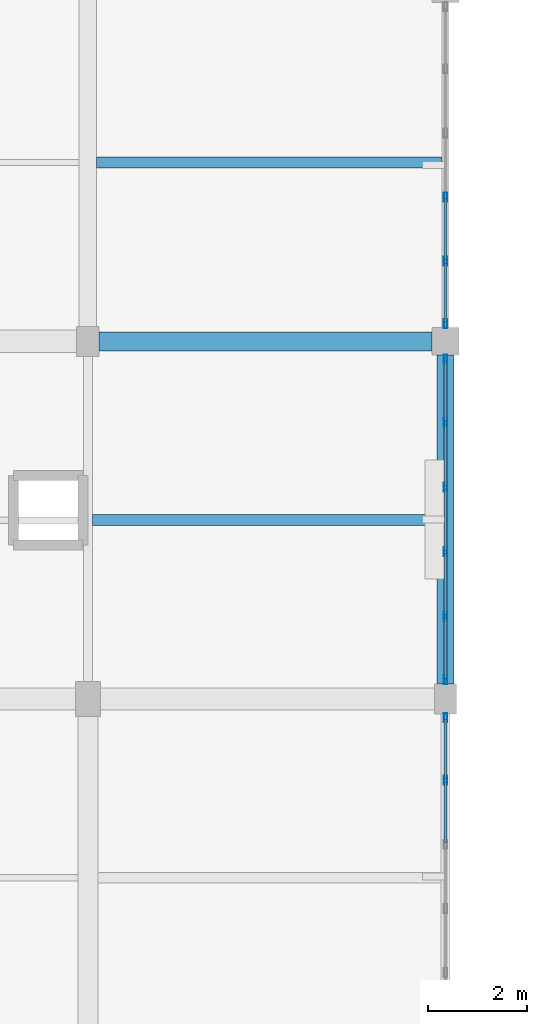
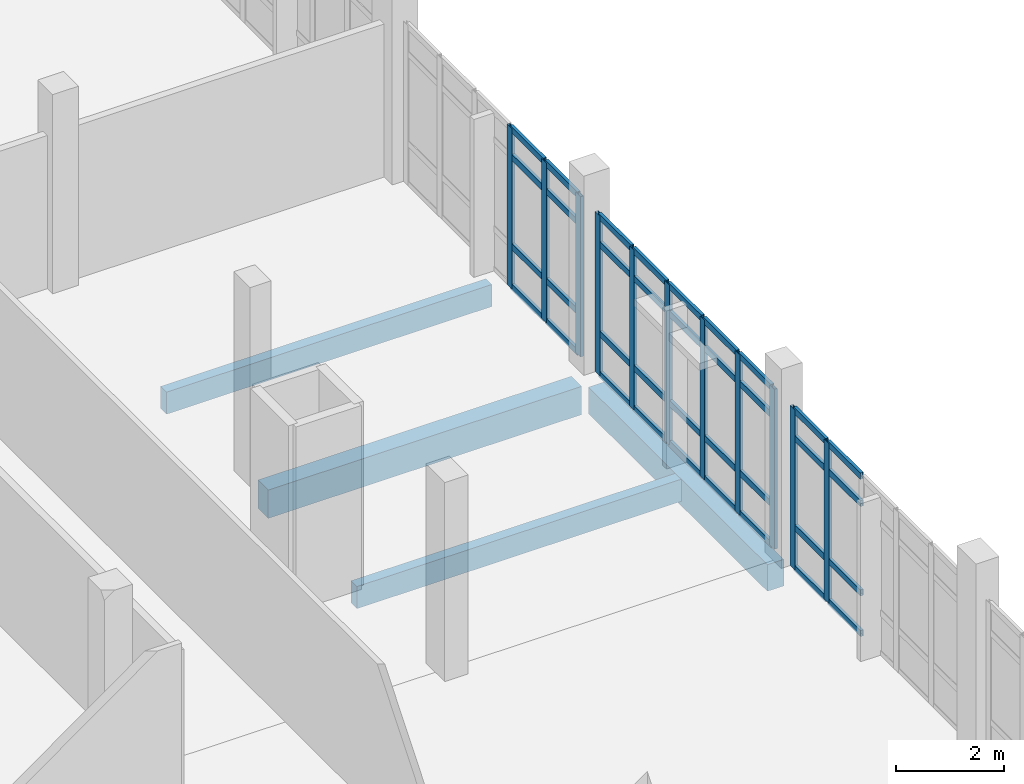
# One storey, part 16 of 57: 47 members, 4 beams, 3 elements without a shape of their own.
"""IFC4 building model written with IfcOpenShell, lengths in metres."""

from ifc_helpers import new_model, si_unit, direction, frame, origin, origin_2d, place, context, subcontext, project, spatial, rectangle, hollow_rectangle, extrude, material, material_profile, profile_set, type_object, element, aggregate, save


model = new_model("IFC4")

# Units and contexts
model_context = context("Model", 3, precision=1e-05, world=origin(), true_north=direction((0.0, 1.0)))
body_context = subcontext(model_context, "Body", "Model", "MODEL_VIEW")
ifc_project = project(units=[si_unit("LENGTHUNIT", "METRE"), si_unit("AREAUNIT", "SQUARE_METRE"), si_unit("VOLUMEUNIT", "CUBIC_METRE"), si_unit("PLANEANGLEUNIT", "RADIAN"), si_unit("MASSUNIT", "GRAM", prefix="KILO")], contexts=[model_context])

# Site, building, storey
site_placement = place(None, origin())
site = spatial("IfcSite", under=ifc_project, at=site_placement, CompositionType="ELEMENT")
building_placement = place(site_placement, origin())
building = spatial("IfcBuilding", under=site, at=building_placement, Name="Kalluvel Institute of Natural Sciences", CompositionType="ELEMENT")
storey_placement = place(building_placement, frame((0.0, 0.0, 23.39990234375)))
storey = spatial("IfcBuildingStorey", under=building, at=storey_placement, Name="L05", CompositionType="ELEMENT", Elevation=23.39990234375)

# Beams
ifc_material_1 = material(Name="Concrete M40", Category="concrete")
ifc_material_profile_1 = material_profile(ifc_material_1, rectangle(XDim=0.35009765625, YDim=0.60009765625, at=origin_2d()), Name="RCB 350x600")
ifc_profile_set_1 = profile_set([ifc_material_profile_1], Name="Concrete M40")
beam_type_1 = type_object("IfcBeamType", Name="BM-RC350x600", PredefinedType="BEAM", material=ifc_profile_set_1)
beam_1_placement = place(storey_placement, frame((35.60009765625, 64.699951171875, -0.599853515625), z_axis=(0.0, 1.0, 0.0), x_axis=(-1.0, 0.0, 0.0)))
element("IfcBeam", 1, at=beam_1_placement, inside=storey, type_object=beam_type_1, Name="L05 girder GIR-L05-NS-X356-Y644", PredefinedType="BEAM", context=body_context, shape_type="SweptSolid", body=[
    extrude(rectangle(XDim=0.35009765625, YDim=0.60009765625, at=origin_2d()), origin(), (0.0, 0.0, 1.0), 6.625),
])
ifc_material_profile_2 = material_profile(ifc_material_1, rectangle(XDim=0.3798828125, YDim=0.639892578125, at=origin_2d()), Name="RCB 380x640")
ifc_profile_set_2 = profile_set([ifc_material_profile_2], Name="Concrete M40")
beam_type_2 = type_object("IfcBeamType", Name="BM-RC380x640", PredefinedType="BEAM", material=ifc_profile_set_2)
beam_2_placement = place(storey_placement, frame((28.625, 71.60009765625, -0.619873046875), z_axis=(1.0, 0.0, 0.0), x_axis=(0.0, 1.0, 0.0)))
element("IfcBeam", 2, at=beam_2_placement, inside=storey, type_object=beam_type_2, Name="L05 girder GIR-L05-EW-X284-Y716", PredefinedType="BEAM", context=body_context, shape_type="SweptSolid", body=[
    extrude(rectangle(XDim=0.3798828125, YDim=0.639892578125, at=origin_2d()), origin(), (0.0, 0.0, 1.0), 6.699951171875),
])

# Curtain wall, members
ifc_material_2 = material(Name="Aluminium AW-6063 T6", Category="aluminium")
curtain_wall_type = type_object("IfcCurtainWallType", Name="CW-DRY-45", PredefinedType="USERDEFINED", material=ifc_material_2)
curtain_wall_1_placement = place(storey_placement, origin())
curtain_wall_1 = element("IfcCurtainWall", 3, at=curtain_wall_1_placement, inside=storey, type_object=curtain_wall_type, Name="L05 Gothic lancet curtain wall CWA-L05-X356-Y576", ObjectType="UNITISED LANCET FACADE", PredefinedType="USERDEFINED")
ifc_material_profile_3 = material_profile(ifc_material_2, hollow_rectangle(XDim=0.06494140625, YDim=0.179931640625, WallThickness=0.00439453125, at=origin_2d()), Name="CWM 65x180")
ifc_profile_set_3 = profile_set([ifc_material_profile_3], Name="Aluminium AW-6063 T6")
member_type_1 = type_object("IfcMemberType", Name="CWM-65x180", PredefinedType="MULLION", material=ifc_profile_set_3)
member_1_placement = place(storey_placement, frame((35.60009765625, 62.760009765625, 0.0), z_axis=(0.0, 0.0, 1.0), x_axis=(-1.0, 0.0, 0.0)))
member_1 = element("IfcMember", 4, at=member_1_placement, type_object=member_type_1, Name="CW-03 mullion 5", PredefinedType="MULLION", context=body_context, shape_type="SweptSolid", body=[
    extrude(hollow_rectangle(XDim=0.06494140625, YDim=0.179931640625, WallThickness=0.00439453125, at=origin_2d()), origin(), (0.0, 0.0, 1.0), 3.6201171875),
])
member_2_placement = place(storey_placement, frame((35.60009765625, 64.017578125, 0.0), z_axis=(0.0, 0.0, 1.0), x_axis=(-1.0, 0.0, 0.0)))
member_2 = element("IfcMember", 5, at=member_2_placement, type_object=member_type_1, Name="CW-03 mullion 6", PredefinedType="MULLION", context=body_context, shape_type="SweptSolid", body=[
    extrude(hollow_rectangle(XDim=0.06494140625, YDim=0.179931640625, WallThickness=0.00439453125, at=origin_2d()), origin(), (0.0, 0.0, 1.0), 3.6201171875),
])

curtain_wall_2_placement = place(storey_placement, origin())
curtain_wall_2 = element("IfcCurtainWall", 6, at=curtain_wall_2_placement, inside=storey, type_object=curtain_wall_type, Name="L05 Gothic lancet curtain wall CWA-L05-X356-Y648", ObjectType="UNITISED LANCET FACADE", PredefinedType="USERDEFINED")
member_3_placement = place(storey_placement, frame((35.60009765625, 64.782470703125, 0.0), z_axis=(0.0, 0.0, 1.0), x_axis=(-1.0, 0.0, 0.0)))
member_3 = element("IfcMember", 7, at=member_3_placement, type_object=member_type_1, Name="CW-03 mullion 1", PredefinedType="MULLION", context=body_context, shape_type="SweptSolid", body=[
    extrude(hollow_rectangle(XDim=0.06494140625, YDim=0.179931640625, WallThickness=0.00439453125, at=origin_2d()), origin(), (0.0, 0.0, 1.0), 3.6201171875),
])
member_4_placement = place(storey_placement, frame((35.60009765625, 66.054931640625, 0.0), z_axis=(0.0, 0.0, 1.0), x_axis=(-1.0, 0.0, 0.0)))
member_4 = element("IfcMember", 8, at=member_4_placement, type_object=member_type_1, Name="CW-03 mullion 2", PredefinedType="MULLION", context=body_context, shape_type="SweptSolid", body=[
    extrude(hollow_rectangle(XDim=0.06494140625, YDim=0.179931640625, WallThickness=0.00439453125, at=origin_2d()), origin(), (0.0, 0.0, 1.0), 3.6201171875),
])
member_5_placement = place(storey_placement, frame((35.60009765625, 67.360107421875, 0.0), z_axis=(0.0, 0.0, 1.0), x_axis=(-1.0, 0.0, 0.0)))
member_5 = element("IfcMember", 9, at=member_5_placement, type_object=member_type_1, Name="CW-03 mullion 3", PredefinedType="MULLION", context=body_context, shape_type="SweptSolid", body=[
    extrude(hollow_rectangle(XDim=0.06494140625, YDim=0.179931640625, WallThickness=0.00439453125, at=origin_2d()), origin(), (0.0, 0.0, 1.0), 3.6201171875),
])
member_6_placement = place(storey_placement, frame((35.60009765625, 68.6650390625, 0.0), z_axis=(0.0, 0.0, 1.0), x_axis=(-1.0, 0.0, 0.0)))
member_6 = element("IfcMember", 10, at=member_6_placement, type_object=member_type_1, Name="CW-03 mullion 4", PredefinedType="MULLION", context=body_context, shape_type="SweptSolid", body=[
    extrude(hollow_rectangle(XDim=0.06494140625, YDim=0.179931640625, WallThickness=0.00439453125, at=origin_2d()), origin(), (0.0, 0.0, 1.0), 3.6201171875),
])
member_7_placement = place(storey_placement, frame((35.60009765625, 69.969970703125, 0.0), z_axis=(0.0, 0.0, 1.0), x_axis=(-1.0, 0.0, 0.0)))
member_7 = element("IfcMember", 11, at=member_7_placement, type_object=member_type_1, Name="CW-03 mullion 5", PredefinedType="MULLION", context=body_context, shape_type="SweptSolid", body=[
    extrude(hollow_rectangle(XDim=0.06494140625, YDim=0.179931640625, WallThickness=0.00439453125, at=origin_2d()), origin(), (0.0, 0.0, 1.0), 3.6201171875),
])
member_8_placement = place(storey_placement, frame((35.60009765625, 71.242431640625, 0.0), z_axis=(0.0, 0.0, 1.0), x_axis=(-1.0, 0.0, 0.0)))
member_8 = element("IfcMember", 12, at=member_8_placement, type_object=member_type_1, Name="CW-03 mullion 6", PredefinedType="MULLION", context=body_context, shape_type="SweptSolid", body=[
    extrude(hollow_rectangle(XDim=0.06494140625, YDim=0.179931640625, WallThickness=0.00439453125, at=origin_2d()), origin(), (0.0, 0.0, 1.0), 3.6201171875),
])

curtain_wall_3_placement = place(storey_placement, origin())
curtain_wall_3 = element("IfcCurtainWall", 13, at=curtain_wall_3_placement, inside=storey, type_object=curtain_wall_type, Name="L05 Gothic lancet curtain wall CWA-L05-X356-Y719", ObjectType="UNITISED LANCET FACADE", PredefinedType="USERDEFINED")
member_9_placement = place(storey_placement, frame((35.60009765625, 71.95751953125, 0.0), z_axis=(0.0, 0.0, 1.0), x_axis=(-1.0, 0.0, 0.0)))
member_9 = element("IfcMember", 14, at=member_9_placement, type_object=member_type_1, Name="CW-03 mullion 1", PredefinedType="MULLION", context=body_context, shape_type="SweptSolid", body=[
    extrude(hollow_rectangle(XDim=0.06494140625, YDim=0.179931640625, WallThickness=0.00439453125, at=origin_2d()), origin(), (0.0, 0.0, 1.0), 3.6201171875),
])
member_10_placement = place(storey_placement, frame((35.60009765625, 73.215087890625, 0.0), z_axis=(0.0, 0.0, 1.0), x_axis=(-1.0, 0.0, 0.0)))
member_10 = element("IfcMember", 15, at=member_10_placement, type_object=member_type_1, Name="CW-03 mullion 2", PredefinedType="MULLION", context=body_context, shape_type="SweptSolid", body=[
    extrude(hollow_rectangle(XDim=0.06494140625, YDim=0.179931640625, WallThickness=0.00439453125, at=origin_2d()), origin(), (0.0, 0.0, 1.0), 3.6201171875),
])
member_11_placement = place(storey_placement, frame((35.60009765625, 74.5048828125, 0.0), z_axis=(0.0, 0.0, 1.0), x_axis=(-1.0, 0.0, 0.0)))
member_11 = element("IfcMember", 16, at=member_11_placement, type_object=member_type_1, Name="CW-03 mullion 3", PredefinedType="MULLION", context=body_context, shape_type="SweptSolid", body=[
    extrude(hollow_rectangle(XDim=0.06494140625, YDim=0.179931640625, WallThickness=0.00439453125, at=origin_2d()), origin(), (0.0, 0.0, 1.0), 3.6201171875),
])

# Member
ifc_material_profile_4 = material_profile(ifc_material_2, hollow_rectangle(XDim=0.06494140625, YDim=0.139892578125, WallThickness=0.00439453125, at=origin_2d()), Name="CWT 65x140")
ifc_profile_set_4 = profile_set([ifc_material_profile_4], Name="Aluminium AW-6063 T6")
member_type_2 = type_object("IfcMemberType", Name="CWT-65x140", PredefinedType="USERDEFINED", material=ifc_profile_set_4)
member_12_placement = place(storey_placement, frame((35.60009765625, 61.50244140625, 0.03271484375), z_axis=(0.0, 1.0, 0.0), x_axis=(-1.0, 0.0, 0.0)))
member_12 = element("IfcMember", 17, at=member_12_placement, type_object=member_type_2, Name="CW-03 transom 4.1", ObjectType="TRANSOM", PredefinedType="USERDEFINED", context=body_context, shape_type="SweptSolid", body=[
    extrude(hollow_rectangle(XDim=0.06494140625, YDim=0.139892578125, WallThickness=0.00439453125, at=origin_2d()), origin(), (0.0, 0.0, 1.0), 1.22509765625),
])

member_13_placement = place(storey_placement, frame((35.60009765625, 61.50244140625, 0.9501953125), z_axis=(0.0, 1.0, 0.0), x_axis=(-1.0, 0.0, 0.0)))
member_13 = element("IfcMember", 18, at=member_13_placement, type_object=member_type_2, Name="CW-03 transom 4.2", ObjectType="TRANSOM", PredefinedType="USERDEFINED", context=body_context, shape_type="SweptSolid", body=[
    extrude(hollow_rectangle(XDim=0.06494140625, YDim=0.139892578125, WallThickness=0.00439453125, at=origin_2d()), origin(), (0.0, 0.0, 1.0), 1.22509765625),
])

member_14_placement = place(storey_placement, frame((35.60009765625, 61.50244140625, 2.97021484375), z_axis=(0.0, 1.0, 0.0), x_axis=(-1.0, 0.0, 0.0)))
member_14 = element("IfcMember", 19, at=member_14_placement, type_object=member_type_2, Name="CW-03 transom 4.3", ObjectType="TRANSOM", PredefinedType="USERDEFINED", context=body_context, shape_type="SweptSolid", body=[
    extrude(hollow_rectangle(XDim=0.06494140625, YDim=0.139892578125, WallThickness=0.00439453125, at=origin_2d()), origin(), (0.0, 0.0, 1.0), 1.22509765625),
])

member_15_placement = place(storey_placement, frame((35.60009765625, 61.50244140625, 3.587646484375), z_axis=(0.0, 1.0, 0.0), x_axis=(-1.0, 0.0, 0.0)))
member_15 = element("IfcMember", 20, at=member_15_placement, type_object=member_type_2, Name="CW-03 transom 4.4", ObjectType="TRANSOM", PredefinedType="USERDEFINED", context=body_context, shape_type="SweptSolid", body=[
    extrude(hollow_rectangle(XDim=0.06494140625, YDim=0.139892578125, WallThickness=0.00439453125, at=origin_2d()), origin(), (0.0, 0.0, 1.0), 1.22509765625),
])

member_16_placement = place(storey_placement, frame((35.60009765625, 62.79248046875, 0.03271484375), z_axis=(0.0, 1.0, 0.0), x_axis=(-1.0, 0.0, 0.0)))
member_16 = element("IfcMember", 21, at=member_16_placement, type_object=member_type_2, Name="CW-03 transom 5.1", ObjectType="TRANSOM", PredefinedType="USERDEFINED", context=body_context, shape_type="SweptSolid", body=[
    extrude(hollow_rectangle(XDim=0.06494140625, YDim=0.139892578125, WallThickness=0.00439453125, at=origin_2d()), origin(), (0.0, 0.0, 1.0), 1.192626953125),
])

member_17_placement = place(storey_placement, frame((35.60009765625, 62.79248046875, 0.9501953125), z_axis=(0.0, 1.0, 0.0), x_axis=(-1.0, 0.0, 0.0)))
member_17 = element("IfcMember", 22, at=member_17_placement, type_object=member_type_2, Name="CW-03 transom 5.2", ObjectType="TRANSOM", PredefinedType="USERDEFINED", context=body_context, shape_type="SweptSolid", body=[
    extrude(hollow_rectangle(XDim=0.06494140625, YDim=0.139892578125, WallThickness=0.00439453125, at=origin_2d()), origin(), (0.0, 0.0, 1.0), 1.192626953125),
])

member_18_placement = place(storey_placement, frame((35.60009765625, 62.79248046875, 2.97021484375), z_axis=(0.0, 1.0, 0.0), x_axis=(-1.0, 0.0, 0.0)))
member_18 = element("IfcMember", 23, at=member_18_placement, type_object=member_type_2, Name="CW-03 transom 5.3", ObjectType="TRANSOM", PredefinedType="USERDEFINED", context=body_context, shape_type="SweptSolid", body=[
    extrude(hollow_rectangle(XDim=0.06494140625, YDim=0.139892578125, WallThickness=0.00439453125, at=origin_2d()), origin(), (0.0, 0.0, 1.0), 1.192626953125),
])

member_19_placement = place(storey_placement, frame((35.60009765625, 62.79248046875, 3.587646484375), z_axis=(0.0, 1.0, 0.0), x_axis=(-1.0, 0.0, 0.0)))
member_19 = element("IfcMember", 24, at=member_19_placement, type_object=member_type_2, Name="CW-03 transom 5.4", ObjectType="TRANSOM", PredefinedType="USERDEFINED", context=body_context, shape_type="SweptSolid", body=[
    extrude(hollow_rectangle(XDim=0.06494140625, YDim=0.139892578125, WallThickness=0.00439453125, at=origin_2d()), origin(), (0.0, 0.0, 1.0), 1.192626953125),
])

aggregate(curtain_wall_1, [member_1, member_2, member_12, member_13, member_14, member_15, member_16, member_17, member_18, member_19])

member_20_placement = place(storey_placement, frame((35.60009765625, 64.81494140625, 0.03271484375), z_axis=(0.0, 1.0, 0.0), x_axis=(-1.0, 0.0, 0.0)))
member_20 = element("IfcMember", 25, at=member_20_placement, type_object=member_type_2, Name="CW-03 transom 1.1", ObjectType="TRANSOM", PredefinedType="USERDEFINED", context=body_context, shape_type="SweptSolid", body=[
    extrude(hollow_rectangle(XDim=0.06494140625, YDim=0.139892578125, WallThickness=0.00439453125, at=origin_2d()), origin(), (0.0, 0.0, 1.0), 1.20751953125),
])

member_21_placement = place(storey_placement, frame((35.60009765625, 64.81494140625, 0.9501953125), z_axis=(0.0, 1.0, 0.0), x_axis=(-1.0, 0.0, 0.0)))
member_21 = element("IfcMember", 26, at=member_21_placement, type_object=member_type_2, Name="CW-03 transom 1.2", ObjectType="TRANSOM", PredefinedType="USERDEFINED", context=body_context, shape_type="SweptSolid", body=[
    extrude(hollow_rectangle(XDim=0.06494140625, YDim=0.139892578125, WallThickness=0.00439453125, at=origin_2d()), origin(), (0.0, 0.0, 1.0), 1.20751953125),
])

member_22_placement = place(storey_placement, frame((35.60009765625, 64.81494140625, 2.97021484375), z_axis=(0.0, 1.0, 0.0), x_axis=(-1.0, 0.0, 0.0)))
member_22 = element("IfcMember", 27, at=member_22_placement, type_object=member_type_2, Name="CW-03 transom 1.3", ObjectType="TRANSOM", PredefinedType="USERDEFINED", context=body_context, shape_type="SweptSolid", body=[
    extrude(hollow_rectangle(XDim=0.06494140625, YDim=0.139892578125, WallThickness=0.00439453125, at=origin_2d()), origin(), (0.0, 0.0, 1.0), 1.20751953125),
])

member_23_placement = place(storey_placement, frame((35.60009765625, 64.81494140625, 3.587646484375), z_axis=(0.0, 1.0, 0.0), x_axis=(-1.0, 0.0, 0.0)))
member_23 = element("IfcMember", 28, at=member_23_placement, type_object=member_type_2, Name="CW-03 transom 1.4", ObjectType="TRANSOM", PredefinedType="USERDEFINED", context=body_context, shape_type="SweptSolid", body=[
    extrude(hollow_rectangle(XDim=0.06494140625, YDim=0.139892578125, WallThickness=0.00439453125, at=origin_2d()), origin(), (0.0, 0.0, 1.0), 1.20751953125),
])

member_24_placement = place(storey_placement, frame((35.60009765625, 66.08740234375, 0.03271484375), z_axis=(0.0, 1.0, 0.0), x_axis=(-1.0, 0.0, 0.0)))
member_24 = element("IfcMember", 29, at=member_24_placement, type_object=member_type_2, Name="CW-03 transom 2.1", ObjectType="TRANSOM", PredefinedType="USERDEFINED", context=body_context, shape_type="SweptSolid", body=[
    extrude(hollow_rectangle(XDim=0.06494140625, YDim=0.139892578125, WallThickness=0.00439453125, at=origin_2d()), origin(), (0.0, 0.0, 1.0), 1.239990234375),
])

member_25_placement = place(storey_placement, frame((35.60009765625, 66.08740234375, 0.9501953125), z_axis=(0.0, 1.0, 0.0), x_axis=(-1.0, 0.0, 0.0)))
member_25 = element("IfcMember", 30, at=member_25_placement, type_object=member_type_2, Name="CW-03 transom 2.2", ObjectType="TRANSOM", PredefinedType="USERDEFINED", context=body_context, shape_type="SweptSolid", body=[
    extrude(hollow_rectangle(XDim=0.06494140625, YDim=0.139892578125, WallThickness=0.00439453125, at=origin_2d()), origin(), (0.0, 0.0, 1.0), 1.239990234375),
])

member_26_placement = place(storey_placement, frame((35.60009765625, 66.08740234375, 2.97021484375), z_axis=(0.0, 1.0, 0.0), x_axis=(-1.0, 0.0, 0.0)))
member_26 = element("IfcMember", 31, at=member_26_placement, type_object=member_type_2, Name="CW-03 transom 2.3", ObjectType="TRANSOM", PredefinedType="USERDEFINED", context=body_context, shape_type="SweptSolid", body=[
    extrude(hollow_rectangle(XDim=0.06494140625, YDim=0.139892578125, WallThickness=0.00439453125, at=origin_2d()), origin(), (0.0, 0.0, 1.0), 1.239990234375),
])

member_27_placement = place(storey_placement, frame((35.60009765625, 66.08740234375, 3.587646484375), z_axis=(0.0, 1.0, 0.0), x_axis=(-1.0, 0.0, 0.0)))
member_27 = element("IfcMember", 32, at=member_27_placement, type_object=member_type_2, Name="CW-03 transom 2.4", ObjectType="TRANSOM", PredefinedType="USERDEFINED", context=body_context, shape_type="SweptSolid", body=[
    extrude(hollow_rectangle(XDim=0.06494140625, YDim=0.139892578125, WallThickness=0.00439453125, at=origin_2d()), origin(), (0.0, 0.0, 1.0), 1.239990234375),
])

member_28_placement = place(storey_placement, frame((35.60009765625, 67.392578125, 0.03271484375), z_axis=(0.0, 1.0, 0.0), x_axis=(-1.0, 0.0, 0.0)))
member_28 = element("IfcMember", 33, at=member_28_placement, type_object=member_type_2, Name="CW-03 transom 3.1", ObjectType="TRANSOM", PredefinedType="USERDEFINED", context=body_context, shape_type="SweptSolid", body=[
    extrude(hollow_rectangle(XDim=0.06494140625, YDim=0.139892578125, WallThickness=0.00439453125, at=origin_2d()), origin(), (0.0, 0.0, 1.0), 1.239990234375),
])

member_29_placement = place(storey_placement, frame((35.60009765625, 67.392578125, 0.9501953125), z_axis=(0.0, 1.0, 0.0), x_axis=(-1.0, 0.0, 0.0)))
member_29 = element("IfcMember", 34, at=member_29_placement, type_object=member_type_2, Name="CW-03 transom 3.2", ObjectType="TRANSOM", PredefinedType="USERDEFINED", context=body_context, shape_type="SweptSolid", body=[
    extrude(hollow_rectangle(XDim=0.06494140625, YDim=0.139892578125, WallThickness=0.00439453125, at=origin_2d()), origin(), (0.0, 0.0, 1.0), 1.239990234375),
])

member_30_placement = place(storey_placement, frame((35.60009765625, 67.392578125, 2.97021484375), z_axis=(0.0, 1.0, 0.0), x_axis=(-1.0, 0.0, 0.0)))
member_30 = element("IfcMember", 35, at=member_30_placement, type_object=member_type_2, Name="CW-03 transom 3.3", ObjectType="TRANSOM", PredefinedType="USERDEFINED", context=body_context, shape_type="SweptSolid", body=[
    extrude(hollow_rectangle(XDim=0.06494140625, YDim=0.139892578125, WallThickness=0.00439453125, at=origin_2d()), origin(), (0.0, 0.0, 1.0), 1.239990234375),
])

member_31_placement = place(storey_placement, frame((35.60009765625, 67.392578125, 3.587646484375), z_axis=(0.0, 1.0, 0.0), x_axis=(-1.0, 0.0, 0.0)))
member_31 = element("IfcMember", 36, at=member_31_placement, type_object=member_type_2, Name="CW-03 transom 3.4", ObjectType="TRANSOM", PredefinedType="USERDEFINED", context=body_context, shape_type="SweptSolid", body=[
    extrude(hollow_rectangle(XDim=0.06494140625, YDim=0.139892578125, WallThickness=0.00439453125, at=origin_2d()), origin(), (0.0, 0.0, 1.0), 1.239990234375),
])

member_32_placement = place(storey_placement, frame((35.60009765625, 68.697509765625, 0.03271484375), z_axis=(0.0, 1.0, 0.0), x_axis=(-1.0, 0.0, 0.0)))
member_32 = element("IfcMember", 37, at=member_32_placement, type_object=member_type_2, Name="CW-03 transom 4.1", ObjectType="TRANSOM", PredefinedType="USERDEFINED", context=body_context, shape_type="SweptSolid", body=[
    extrude(hollow_rectangle(XDim=0.06494140625, YDim=0.139892578125, WallThickness=0.00439453125, at=origin_2d()), origin(), (0.0, 0.0, 1.0), 1.239990234375),
])

member_33_placement = place(storey_placement, frame((35.60009765625, 68.697509765625, 0.9501953125), z_axis=(0.0, 1.0, 0.0), x_axis=(-1.0, 0.0, 0.0)))
member_33 = element("IfcMember", 38, at=member_33_placement, type_object=member_type_2, Name="CW-03 transom 4.2", ObjectType="TRANSOM", PredefinedType="USERDEFINED", context=body_context, shape_type="SweptSolid", body=[
    extrude(hollow_rectangle(XDim=0.06494140625, YDim=0.139892578125, WallThickness=0.00439453125, at=origin_2d()), origin(), (0.0, 0.0, 1.0), 1.239990234375),
])

member_34_placement = place(storey_placement, frame((35.60009765625, 68.697509765625, 2.97021484375), z_axis=(0.0, 1.0, 0.0), x_axis=(-1.0, 0.0, 0.0)))
member_34 = element("IfcMember", 39, at=member_34_placement, type_object=member_type_2, Name="CW-03 transom 4.3", ObjectType="TRANSOM", PredefinedType="USERDEFINED", context=body_context, shape_type="SweptSolid", body=[
    extrude(hollow_rectangle(XDim=0.06494140625, YDim=0.139892578125, WallThickness=0.00439453125, at=origin_2d()), origin(), (0.0, 0.0, 1.0), 1.239990234375),
])

member_35_placement = place(storey_placement, frame((35.60009765625, 68.697509765625, 3.587646484375), z_axis=(0.0, 1.0, 0.0), x_axis=(-1.0, 0.0, 0.0)))
member_35 = element("IfcMember", 40, at=member_35_placement, type_object=member_type_2, Name="CW-03 transom 4.4", ObjectType="TRANSOM", PredefinedType="USERDEFINED", context=body_context, shape_type="SweptSolid", body=[
    extrude(hollow_rectangle(XDim=0.06494140625, YDim=0.139892578125, WallThickness=0.00439453125, at=origin_2d()), origin(), (0.0, 0.0, 1.0), 1.239990234375),
])

member_36_placement = place(storey_placement, frame((35.60009765625, 70.00244140625, 0.03271484375), z_axis=(0.0, 1.0, 0.0), x_axis=(-1.0, 0.0, 0.0)))
member_36 = element("IfcMember", 41, at=member_36_placement, type_object=member_type_2, Name="CW-03 transom 5.1", ObjectType="TRANSOM", PredefinedType="USERDEFINED", context=body_context, shape_type="SweptSolid", body=[
    extrude(hollow_rectangle(XDim=0.06494140625, YDim=0.139892578125, WallThickness=0.00439453125, at=origin_2d()), origin(), (0.0, 0.0, 1.0), 1.20751953125),
])

member_37_placement = place(storey_placement, frame((35.60009765625, 70.00244140625, 0.9501953125), z_axis=(0.0, 1.0, 0.0), x_axis=(-1.0, 0.0, 0.0)))
member_37 = element("IfcMember", 42, at=member_37_placement, type_object=member_type_2, Name="CW-03 transom 5.2", ObjectType="TRANSOM", PredefinedType="USERDEFINED", context=body_context, shape_type="SweptSolid", body=[
    extrude(hollow_rectangle(XDim=0.06494140625, YDim=0.139892578125, WallThickness=0.00439453125, at=origin_2d()), origin(), (0.0, 0.0, 1.0), 1.20751953125),
])

member_38_placement = place(storey_placement, frame((35.60009765625, 70.00244140625, 2.97021484375), z_axis=(0.0, 1.0, 0.0), x_axis=(-1.0, 0.0, 0.0)))
member_38 = element("IfcMember", 43, at=member_38_placement, type_object=member_type_2, Name="CW-03 transom 5.3", ObjectType="TRANSOM", PredefinedType="USERDEFINED", context=body_context, shape_type="SweptSolid", body=[
    extrude(hollow_rectangle(XDim=0.06494140625, YDim=0.139892578125, WallThickness=0.00439453125, at=origin_2d()), origin(), (0.0, 0.0, 1.0), 1.20751953125),
])

member_39_placement = place(storey_placement, frame((35.60009765625, 70.00244140625, 3.587646484375), z_axis=(0.0, 1.0, 0.0), x_axis=(-1.0, 0.0, 0.0)))
member_39 = element("IfcMember", 44, at=member_39_placement, type_object=member_type_2, Name="CW-03 transom 5.4", ObjectType="TRANSOM", PredefinedType="USERDEFINED", context=body_context, shape_type="SweptSolid", body=[
    extrude(hollow_rectangle(XDim=0.06494140625, YDim=0.139892578125, WallThickness=0.00439453125, at=origin_2d()), origin(), (0.0, 0.0, 1.0), 1.20751953125),
])

aggregate(curtain_wall_2, [member_3, member_4, member_5, member_6, member_7, member_8, member_20, member_21, member_22, member_23, member_24, member_25, member_26, member_27, member_28, member_29, member_30, member_31, member_32, member_33, member_34, member_35, member_36, member_37, member_38, member_39])

member_40_placement = place(storey_placement, frame((35.60009765625, 71.989990234375, 0.03271484375), z_axis=(0.0, 1.0, 0.0), x_axis=(-1.0, 0.0, 0.0)))
member_40 = element("IfcMember", 45, at=member_40_placement, type_object=member_type_2, Name="CW-03 transom 1.1", ObjectType="TRANSOM", PredefinedType="USERDEFINED", context=body_context, shape_type="SweptSolid", body=[
    extrude(hollow_rectangle(XDim=0.06494140625, YDim=0.139892578125, WallThickness=0.00439453125, at=origin_2d()), origin(), (0.0, 0.0, 1.0), 1.192626953125),
])

member_41_placement = place(storey_placement, frame((35.60009765625, 71.989990234375, 0.9501953125), z_axis=(0.0, 1.0, 0.0), x_axis=(-1.0, 0.0, 0.0)))
member_41 = element("IfcMember", 46, at=member_41_placement, type_object=member_type_2, Name="CW-03 transom 1.2", ObjectType="TRANSOM", PredefinedType="USERDEFINED", context=body_context, shape_type="SweptSolid", body=[
    extrude(hollow_rectangle(XDim=0.06494140625, YDim=0.139892578125, WallThickness=0.00439453125, at=origin_2d()), origin(), (0.0, 0.0, 1.0), 1.192626953125),
])

member_42_placement = place(storey_placement, frame((35.60009765625, 71.989990234375, 2.97021484375), z_axis=(0.0, 1.0, 0.0), x_axis=(-1.0, 0.0, 0.0)))
member_42 = element("IfcMember", 47, at=member_42_placement, type_object=member_type_2, Name="CW-03 transom 1.3", ObjectType="TRANSOM", PredefinedType="USERDEFINED", context=body_context, shape_type="SweptSolid", body=[
    extrude(hollow_rectangle(XDim=0.06494140625, YDim=0.139892578125, WallThickness=0.00439453125, at=origin_2d()), origin(), (0.0, 0.0, 1.0), 1.192626953125),
])

member_43_placement = place(storey_placement, frame((35.60009765625, 71.989990234375, 3.587646484375), z_axis=(0.0, 1.0, 0.0), x_axis=(-1.0, 0.0, 0.0)))
member_43 = element("IfcMember", 48, at=member_43_placement, type_object=member_type_2, Name="CW-03 transom 1.4", ObjectType="TRANSOM", PredefinedType="USERDEFINED", context=body_context, shape_type="SweptSolid", body=[
    extrude(hollow_rectangle(XDim=0.06494140625, YDim=0.139892578125, WallThickness=0.00439453125, at=origin_2d()), origin(), (0.0, 0.0, 1.0), 1.192626953125),
])

member_44_placement = place(storey_placement, frame((35.60009765625, 73.24755859375, 0.03271484375), z_axis=(0.0, 1.0, 0.0), x_axis=(-1.0, 0.0, 0.0)))
member_44 = element("IfcMember", 49, at=member_44_placement, type_object=member_type_2, Name="CW-03 transom 2.1", ObjectType="TRANSOM", PredefinedType="USERDEFINED", context=body_context, shape_type="SweptSolid", body=[
    extrude(hollow_rectangle(XDim=0.06494140625, YDim=0.139892578125, WallThickness=0.00439453125, at=origin_2d()), origin(), (0.0, 0.0, 1.0), 1.224853515625),
])

member_45_placement = place(storey_placement, frame((35.60009765625, 73.24755859375, 0.9501953125), z_axis=(0.0, 1.0, 0.0), x_axis=(-1.0, 0.0, 0.0)))
member_45 = element("IfcMember", 50, at=member_45_placement, type_object=member_type_2, Name="CW-03 transom 2.2", ObjectType="TRANSOM", PredefinedType="USERDEFINED", context=body_context, shape_type="SweptSolid", body=[
    extrude(hollow_rectangle(XDim=0.06494140625, YDim=0.139892578125, WallThickness=0.00439453125, at=origin_2d()), origin(), (0.0, 0.0, 1.0), 1.224853515625),
])

member_46_placement = place(storey_placement, frame((35.60009765625, 73.24755859375, 2.97021484375), z_axis=(0.0, 1.0, 0.0), x_axis=(-1.0, 0.0, 0.0)))
member_46 = element("IfcMember", 51, at=member_46_placement, type_object=member_type_2, Name="CW-03 transom 2.3", ObjectType="TRANSOM", PredefinedType="USERDEFINED", context=body_context, shape_type="SweptSolid", body=[
    extrude(hollow_rectangle(XDim=0.06494140625, YDim=0.139892578125, WallThickness=0.00439453125, at=origin_2d()), origin(), (0.0, 0.0, 1.0), 1.224853515625),
])

member_47_placement = place(storey_placement, frame((35.60009765625, 73.24755859375, 3.587646484375), z_axis=(0.0, 1.0, 0.0), x_axis=(-1.0, 0.0, 0.0)))
member_47 = element("IfcMember", 52, at=member_47_placement, type_object=member_type_2, Name="CW-03 transom 2.4", ObjectType="TRANSOM", PredefinedType="USERDEFINED", context=body_context, shape_type="SweptSolid", body=[
    extrude(hollow_rectangle(XDim=0.06494140625, YDim=0.139892578125, WallThickness=0.00439453125, at=origin_2d()), origin(), (0.0, 0.0, 1.0), 1.224853515625),
])

aggregate(curtain_wall_3, [member_9, member_10, member_11, member_40, member_41, member_42, member_43, member_44, member_45, member_46, member_47])

# Beams
ifc_material_profile_5 = material_profile(ifc_material_1, rectangle(XDim=0.219970703125, YDim=0.5, at=origin_2d()), Name="WAF 220x500")
ifc_profile_set_5 = profile_set([ifc_material_profile_5], Name="Concrete M40")
beam_type_3 = type_object("IfcBeamType", Name="WJ-220x500", PredefinedType="JOIST", material=ifc_profile_set_5)
beam_3_placement = place(storey_placement, frame((28.489990234375, 68.0, -0.5498046875), z_axis=(1.0, 0.0, 0.0), x_axis=(0.0, 1.0, 0.0)))
element("IfcBeam", 53, at=beam_3_placement, inside=storey, type_object=beam_type_3, Name="L05 floor rib RIB-L05-0748", PredefinedType="JOIST", context=body_context, shape_type="SweptSolid", body=[
    extrude(rectangle(XDim=0.219970703125, YDim=0.5, at=origin_2d()), origin(), (0.0, 0.0, 1.0), 6.93505859375),
])
beam_4_placement = place(storey_placement, frame((28.574951171875, 75.199951171875, -0.5498046875), z_axis=(1.0, 0.0, 0.0), x_axis=(0.0, 1.0, 0.0)))
element("IfcBeam", 54, at=beam_4_placement, inside=storey, type_object=beam_type_3, Name="L05 floor rib RIB-L05-0751", PredefinedType="JOIST", context=body_context, shape_type="SweptSolid", body=[
    extrude(rectangle(XDim=0.219970703125, YDim=0.5, at=origin_2d()), origin(), (0.0, 0.0, 1.0), 6.955078125),
])

save(model, "model.ifc")
